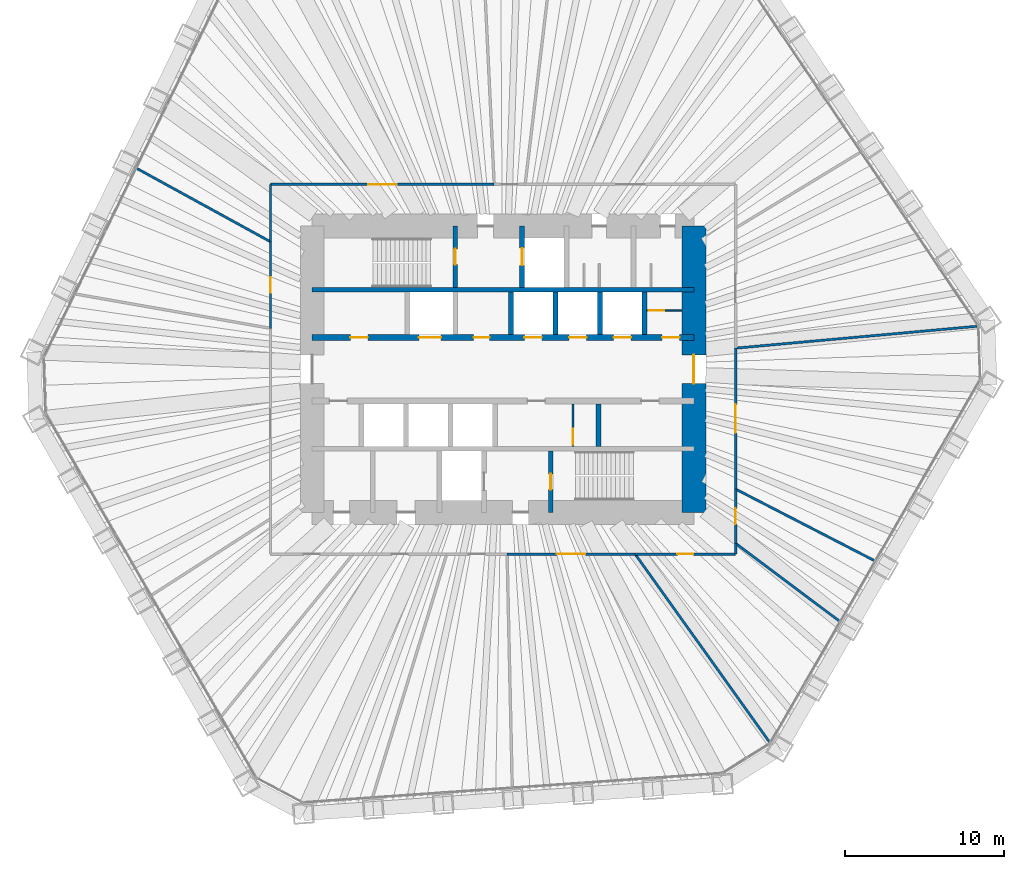
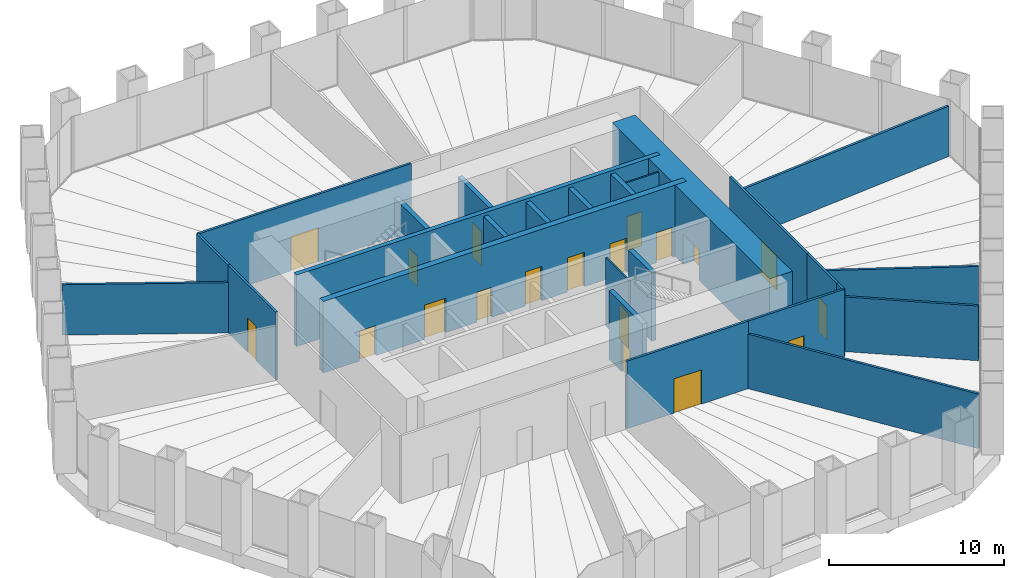
# One storey, part 11 of 13: 26 walls, 19 doors, 19 openings.
"""IFC4 building model written with IfcOpenShell, lengths in metres."""

import ifcopenshell
import ifcopenshell.guid

model = None  # the IFC model being written
_history = None  # IfcOwnerHistory: only IFC2X3 demands one
_inside = {}  # id of a spatial element -> (the spatial element, [elements in it])
_under = {}  # id of a project, library or spatial element -> (it, [spatial elements below it])
_declared = {}  # id of a project -> (the project, [libraries it declares])
_typed = {}  # id of a type object -> (the type object, [elements of that type])
_made_of = {}  # id of a material, layer set ... -> (it, [elements and type objects made of it])


def new_model(schema):
    """Start an empty IFC model of exactly this schema.

    Asked for "IFC4X3", IfcOpenShell would pick the latest addendum, in which some entities
    have other attributes; the version numbers below select the first issue.
    IFC2X3 requires an IfcOwnerHistory on every rooted entity: one is made here for all.
    """
    global model, _history
    if schema == "IFC4X3":
        model = ifcopenshell.file(schema_version=(4, 3, 0, 0))
    else:
        model = ifcopenshell.file(schema=schema)
    _inside.clear()
    _under.clear()
    _declared.clear()
    _typed.clear()
    _made_of.clear()
    _history = None
    if model.schema == "IFC2X3":
        org = make("IfcOrganization", Name="unknown")
        user = make(
            "IfcPersonAndOrganization",
            ThePerson=make("IfcPerson", FamilyName="unknown"),
            TheOrganization=org,
        )
        app = make(
            "IfcApplication",
            ApplicationDeveloper=org,
            Version="unknown",
            ApplicationFullName="unknown",
            ApplicationIdentifier="unknown",
        )
        _history = make(
            "IfcOwnerHistory",
            OwningUser=user,
            OwningApplication=app,
            ChangeAction="ADDED",
            CreationDate=0,
        )
    return model


def make(cls, **values):
    """One entity of the class cls with the attributes given. An attribute that is None is left unset."""
    return model.create_entity(
        cls, **{name: value for name, value in values.items() if value is not None}
    )


def rooted(cls, **values):
    """An entity with a GlobalId (a new one), such as an element, a storey or a relation."""
    return make(cls, GlobalId=ifcopenshell.guid.new(), OwnerHistory=_history, **values)


def si_unit(unit_type, name, prefix=None):
    """IfcSIUnit, for example si_unit("LENGTHUNIT", "METRE", prefix="MILLI")."""
    return make("IfcSIUnit", UnitType=unit_type, Prefix=prefix, Name=name)


def assignment(units):
    """IfcUnitAssignment: the units of a project."""
    return None if units is None else make("IfcUnitAssignment", Units=units)


def point(xyz):
    """IfcCartesianPoint."""
    return None if xyz is None else make("IfcCartesianPoint", Coordinates=xyz)


def direction(xyz):
    """IfcDirection."""
    return None if xyz is None else make("IfcDirection", DirectionRatios=xyz)


def frame(location, z_axis=None, x_axis=None):
    """IfcAxis2Placement3D, a coordinate frame: its origin and axes. An axis left out is left unset."""
    return make(
        "IfcAxis2Placement3D",
        Location=point(location),
        Axis=direction(z_axis),
        RefDirection=direction(x_axis),
    )


def frame_2d(location, x_axis=None):
    """IfcAxis2Placement2D, a coordinate frame in the plane: its origin and x axis."""
    return make(
        "IfcAxis2Placement2D", Location=point(location), RefDirection=direction(x_axis)
    )


def origin():
    """The frame at (0, 0, 0) with its axes left unset."""
    return frame((0.0, 0.0, 0.0))


def place(relative_to, where):
    """IfcLocalPlacement: puts the frame where relative to a parent placement (None: the world)."""
    return make(
        "IfcLocalPlacement", PlacementRelTo=relative_to, RelativePlacement=where
    )


def context(
    kind, dimensions, precision=None, world=None, true_north=None, identifier=None
):
    """IfcGeometricRepresentationContext, for example the 3D "Model" context."""
    return make(
        "IfcGeometricRepresentationContext",
        ContextIdentifier=identifier,
        ContextType=kind,
        CoordinateSpaceDimension=dimensions,
        Precision=precision,
        WorldCoordinateSystem=world,
        TrueNorth=true_north,
    )


def subcontext(parent, identifier, kind, view, scale=None):
    """IfcGeometricRepresentationSubContext, for example "Body" below "Model"."""
    return make(
        "IfcGeometricRepresentationSubContext",
        ContextIdentifier=identifier,
        ContextType=kind,
        ParentContext=parent,
        TargetScale=scale,
        TargetView=view,
    )


def project(units=None, contexts=None):
    """IfcProject with its units and contexts."""
    return rooted(
        "IfcProject",
        Name="project",
        RepresentationContexts=contexts,
        UnitsInContext=assignment(units),
    )


def spatial(cls, under=None, at=None, **own):
    """A site, building, storey or space (cls), placed at a placement, below another one or the project."""
    s = rooted(cls, ObjectPlacement=at, **own)
    if under is not None:
        _under.setdefault(under.id(), (under, []))[1].append(s)
    return s


def profile(cls, at=None, kind="AREA", **sizes):
    """A parametric profile (cls). Its sizes go by their IFC names, for example OverallWidth=200.0."""
    return make(cls, ProfileType=kind, Position=at, **sizes)


def rectangle(**sizes):
    """IfcRectangleProfileDef."""
    return profile("IfcRectangleProfileDef", **sizes)


def extrude(swept, where, along, depth):
    """IfcExtrudedAreaSolid: the profile swept, set in the frame where, extruded along a direction by depth."""
    return make(
        "IfcExtrudedAreaSolid",
        SweptArea=swept,
        Position=where,
        ExtrudedDirection=direction(along),
        Depth=depth,
    )


def shape(context_of_items, identifier, shape_type, items):
    """IfcShapeRepresentation: the items that make up one representation, for example the "Body"."""
    return make(
        "IfcShapeRepresentation",
        ContextOfItems=context_of_items,
        RepresentationIdentifier=identifier,
        RepresentationType=shape_type,
        Items=items,
    )


def material(Name=None, Category=None):
    """IfcMaterial."""
    return make("IfcMaterial", Name=Name, Category=Category)


def layer(
    of_material, thickness, ventilated=None, Name=None, Category=None, Priority=None
):
    """IfcMaterialLayer: one layer of a wall or slab, of a material (None: an air gap)."""
    return make(
        "IfcMaterialLayer",
        Material=of_material,
        LayerThickness=thickness,
        IsVentilated=ventilated,
        Name=Name,
        Category=Category,
        Priority=Priority,
    )


def layer_set(layers, Name=None):
    """IfcMaterialLayerSet."""
    return make("IfcMaterialLayerSet", MaterialLayers=layers, LayerSetName=Name)


def made_of(thing, what):
    """Note that an element or type object is made of a material, layer set ...; save() writes the relation."""
    if what is not None:
        _made_of.setdefault(what.id(), (what, []))[1].append(thing)
    return thing


def type_object(cls, material=None, **own):
    """A type object (cls), such as IfcWallType, which elements share."""
    return made_of(rooted(cls, **own), material)


def element(
    cls,
    number,
    at=None,
    inside=None,
    cuts=None,
    type_object=None,
    material=None,
    context=None,
    identifier="Body",
    shape_type=None,
    held_by="IfcProductDefinitionShape",
    body=None,
    shapes=None,
    **own,
):
    """One element of the class cls, such as IfcWall. Its Tag is "e" and its number.

    at: its placement. inside: the storey or other place that contains it. cuts: it is an
    opening in that element (IfcRelVoidsElement). A single representation is given by context,
    identifier, shape_type and body (its items); several are given by shapes. held_by: the class
    of the entity that holds the representations. save() writes the other relations.
    """
    e = rooted(cls, Tag="e%d" % number, ObjectPlacement=at, **own)
    if body is not None:
        shapes = [shape(context, identifier, shape_type, body)]
    if shapes is not None:
        e.Representation = make(held_by, Representations=shapes)
    if inside is not None:
        _inside.setdefault(inside.id(), (inside, []))[1].append(e)
    if cuts is not None:
        rooted(
            "IfcRelVoidsElement", RelatingBuildingElement=cuts, RelatedOpeningElement=e
        )
    if type_object is not None:
        _typed.setdefault(type_object.id(), (type_object, []))[1].append(e)
    return made_of(e, material)


def fill(opening, filler):
    """IfcRelFillsElement: the door or window that sits in an opening."""
    return rooted(
        "IfcRelFillsElement",
        RelatingOpeningElement=opening,
        RelatedBuildingElement=filler,
    )


def aggregate(whole, parts):
    """IfcRelAggregates: a whole, such as a stair, and the parts it consists of."""
    return rooted("IfcRelAggregates", RelatingObject=whole, RelatedObjects=parts)


def save(model, path):
    """Write the relations noted so far, then the file.

    IfcRelAggregates (storeys below a building ...), IfcRelContainedInSpatialStructure (elements
    in a storey), IfcRelDefinesByType, IfcRelAssociatesMaterial and IfcRelDeclares: one each for
    every whole, place, type object, material and project.
    """
    for whole, parts in _under.values():
        aggregate(whole, parts)
    for where, things in _inside.values():
        rooted(
            "IfcRelContainedInSpatialStructure",
            RelatedElements=things,
            RelatingStructure=where,
        )
    for kind, things in _typed.values():
        rooted("IfcRelDefinesByType", RelatedObjects=things, RelatingType=kind)
    for what, things in _made_of.values():
        rooted("IfcRelAssociatesMaterial", RelatedObjects=things, RelatingMaterial=what)
    for by, libraries in _declared.values():
        rooted("IfcRelDeclares", RelatingContext=by, RelatedDefinitions=libraries)
    model.write(path)


model = new_model("IFC4")

# Units and contexts
model_context = context("Model", 3, precision=1e-05, world=origin(), true_north=direction((0.0, 1.0)))
body_context = subcontext(model_context, "Body", "Model", "MODEL_VIEW")
ifc_project = project(units=[si_unit("LENGTHUNIT", "METRE"), si_unit("AREAUNIT", "SQUARE_METRE"), si_unit("VOLUMEUNIT", "CUBIC_METRE"), si_unit("PLANEANGLEUNIT", "RADIAN"), si_unit("MASSUNIT", "GRAM", prefix="KILO")], contexts=[model_context])

# Site, building, storey
site_placement = place(None, origin())
site = spatial("IfcSite", under=ifc_project, at=site_placement, CompositionType="ELEMENT")
building_placement = place(site_placement, origin())
building = spatial("IfcBuilding", under=site, at=building_placement, Name="Qingtian Harvest Tower", CompositionType="ELEMENT")
storey_placement = place(building_placement, frame((0.0, 0.0, 92.0)))
storey = spatial("IfcBuildingStorey", under=building, at=storey_placement, Name="L18", CompositionType="ELEMENT", Elevation=92.0)

# Wall
ifc_material_1 = material(Name="Concrete fc' 70 MPa", Category="concrete")
ifc_layer_1 = layer(ifc_material_1, 0.300048828125)
ifc_layer_set_1 = layer_set([ifc_layer_1], Name="Core inner wall RC5 300")
wall_type_1 = type_object("IfcWallType", Name="Core inner wall RC5 300", PredefinedType="SHEAR", material=ifc_layer_set_1)
wall_1_placement = place(storey_placement, frame((-12.0, 5.0, 0.0), z_axis=(0.0, 0.0, 1.0), x_axis=(1.0, 0.0, 0.0)))
element("IfcWall", 1, at=wall_1_placement, inside=storey, type_object=wall_type_1, Name="Core wall IN5 L18", PredefinedType="SHEAR", context=body_context, shape_type="SweptSolid", body=[
    extrude(rectangle(XDim=24.0, YDim=0.300048828125, at=frame_2d((12.0, 0.0))), origin(), (0.0, 0.0, 1.0), 5.0),
])

# Wall, openings, doors
ifc_material_2 = material(Name="Concrete fc' 70 MPa", Category="concrete")
ifc_layer_2 = layer(ifc_material_2, 0.39990234375)
ifc_layer_set_2 = layer_set([ifc_layer_2], Name="Core inner web RC6 400")
wall_type_2 = type_object("IfcWallType", Name="Core inner web RC6 400", PredefinedType="SHEAR", material=ifc_layer_set_2)
wall_2_placement = place(storey_placement, frame((-12.0, 2.0, 0.0), z_axis=(0.0, 0.0, 1.0), x_axis=(1.0, 0.0, 0.0)))
wall_2 = element("IfcWall", 2, at=wall_2_placement, inside=storey, type_object=wall_type_2, Name="Core wall IN2 L18", PredefinedType="SHEAR", context=body_context, shape_type="SweptSolid", body=[
    extrude(rectangle(XDim=24.0, YDim=0.39990234375, at=frame_2d((12.0, 0.0))), origin(), (0.0, 0.0, 1.0), 5.0),
])
opening_1_placement = place(wall_2_placement, frame((2.39990234375, 0.0, 0.0)))
opening_1 = element("IfcOpeningElement", 3, at=opening_1_placement, cuts=wall_2, Name="Opening FD4", PredefinedType="OPENING", context=body_context, shape_type="SweptSolid", body=[
    extrude(rectangle(XDim=1.10009765625, YDim=2.10009765625, at=frame_2d((0.550048828125, 1.050048828125))), frame((0.0, 0.2099609375, 0.0), z_axis=(0.0, -1.0, 0.0), x_axis=(1.0, 0.0, 0.0)), (0.0, 0.0, 1.0), 0.419921875),
])
opening_2_placement = place(wall_2_placement, frame((22.0, 0.0, 0.0)))
opening_2 = element("IfcOpeningElement", 4, at=opening_2_placement, cuts=wall_2, Name="Opening FD4", PredefinedType="OPENING", context=body_context, shape_type="SweptSolid", body=[
    extrude(rectangle(XDim=1.10009765625, YDim=2.10009765625, at=frame_2d((0.550048828125, 1.050048828125))), frame((0.0, 0.2099609375, 0.0), z_axis=(0.0, -1.0, 0.0), x_axis=(1.0, 0.0, 0.0)), (0.0, 0.0, 1.0), 0.419921875),
])
opening_3_placement = place(wall_2_placement, frame((10.14990234375, 0.0, 0.0)))
opening_3 = element("IfcOpeningElement", 5, at=opening_3_placement, cuts=wall_2, Name="Opening FD1", PredefinedType="OPENING", context=body_context, shape_type="SweptSolid", body=[
    extrude(rectangle(XDim=1.0, YDim=2.10009765625, at=frame_2d((0.5, 1.050048828125))), frame((0.0, 0.2099609375, 0.0), z_axis=(0.0, -1.0, 0.0), x_axis=(1.0, 0.0, 0.0)), (0.0, 0.0, 1.0), 0.419921875),
])
opening_4_placement = place(wall_2_placement, frame((6.699951171875, 0.0, 0.0)))
opening_4 = element("IfcOpeningElement", 6, at=opening_4_placement, cuts=wall_2, Name="Opening LD2", PredefinedType="OPENING", context=body_context, shape_type="SweptSolid", body=[
    extrude(rectangle(XDim=1.39990234375, YDim=2.39990234375, at=frame_2d((0.699951171875, 1.199951171875))), frame((0.0, 0.2099609375, 0.0), z_axis=(0.0, -1.0, 0.0), x_axis=(1.0, 0.0, 0.0)), (0.0, 0.0, 1.0), 0.419921875),
])
opening_5_placement = place(wall_2_placement, frame((13.35009765625, 0.0, 0.0)))
opening_5 = element("IfcOpeningElement", 7, at=opening_5_placement, cuts=wall_2, Name="Opening LD1", PredefinedType="OPENING", context=body_context, shape_type="SweptSolid", body=[
    extrude(rectangle(XDim=1.10009765625, YDim=2.39990234375, at=frame_2d((0.550048828125, 1.199951171875))), frame((0.0, 0.2099609375, 0.0), z_axis=(0.0, -1.0, 0.0), x_axis=(1.0, 0.0, 0.0)), (0.0, 0.0, 1.0), 0.419921875),
])
opening_6_placement = place(wall_2_placement, frame((16.14990234375, 0.0, 0.0)))
opening_6 = element("IfcOpeningElement", 8, at=opening_6_placement, cuts=wall_2, Name="Opening LD1", PredefinedType="OPENING", context=body_context, shape_type="SweptSolid", body=[
    extrude(rectangle(XDim=1.10009765625, YDim=2.39990234375, at=frame_2d((0.550048828125, 1.199951171875))), frame((0.0, 0.2099609375, 0.0), z_axis=(0.0, -1.0, 0.0), x_axis=(1.0, 0.0, 0.0)), (0.0, 0.0, 1.0), 0.419921875),
])
opening_7_placement = place(wall_2_placement, frame((18.949951171875, 0.0, 0.0)))
opening_7 = element("IfcOpeningElement", 9, at=opening_7_placement, cuts=wall_2, Name="Opening LD1", PredefinedType="OPENING", context=body_context, shape_type="SweptSolid", body=[
    extrude(rectangle(XDim=1.10009765625, YDim=2.39990234375, at=frame_2d((0.550048828125, 1.199951171875))), frame((0.0, 0.2099609375, 0.0), z_axis=(0.0, -1.0, 0.0), x_axis=(1.0, 0.0, 0.0)), (0.0, 0.0, 1.0), 0.419921875),
])
ifc_material_3 = material(Name="Steel-faced door leaf", Category="steel")
door_type_1 = type_object("IfcDoorType", Name="Fire door FD1 single 1 HR", OperationType="SINGLE_SWING_LEFT", PredefinedType="DOOR", material=ifc_material_3)
door_1_placement = place(opening_3_placement, origin())
door_1 = element("IfcDoor", 10, at=door_1_placement, inside=storey, type_object=door_type_1, Name="STA door L18", OperationType="SINGLE_SWING_RIGHT", OverallHeight=2.10009765625, OverallWidth=1.0, PredefinedType="DOOR", context=body_context, shape_type="SweptSolid", body=[
    extrude(rectangle(XDim=1.0, YDim=2.10009765625, at=frame_2d((0.5, 1.050048828125))), frame((0.0, 0.02490234375, 0.0), z_axis=(0.0, -1.0, 0.0), x_axis=(1.0, 0.0, 0.0)), (0.0, 0.0, 1.0), 0.050048828125),
])
fill(opening_3, door_1)
ifc_material_4 = material(Name="Steel-faced door leaf", Category="steel")
door_type_2 = type_object("IfcDoorType", Name="Fire door FD4 single 2 HR", OperationType="SINGLE_SWING_LEFT", PredefinedType="DOOR", material=ifc_material_4)
door_2_placement = place(opening_1_placement, origin())
door_2 = element("IfcDoor", 11, at=door_2_placement, inside=storey, type_object=door_type_2, Name="RA door L18", OperationType="SINGLE_SWING_LEFT", OverallHeight=2.10009765625, OverallWidth=1.10009765625, PredefinedType="DOOR", context=body_context, shape_type="SweptSolid", body=[
    extrude(rectangle(XDim=1.10009765625, YDim=2.10009765625, at=frame_2d((0.550048828125, 1.050048828125))), frame((0.0, 0.02490234375, 0.0), z_axis=(0.0, -1.0, 0.0), x_axis=(1.0, 0.0, 0.0)), (0.0, 0.0, 1.0), 0.050048828125),
])
fill(opening_1, door_2)
door_3_placement = place(opening_2_placement, origin())
door_3 = element("IfcDoor", 12, at=door_3_placement, inside=storey, type_object=door_type_2, Name="AHU door L18", OperationType="SINGLE_SWING_LEFT", OverallHeight=2.10009765625, OverallWidth=1.10009765625, PredefinedType="DOOR", context=body_context, shape_type="SweptSolid", body=[
    extrude(rectangle(XDim=1.10009765625, YDim=2.10009765625, at=frame_2d((0.550048828125, 1.050048828125))), frame((0.0, 0.02490234375, 0.0), z_axis=(0.0, -1.0, 0.0), x_axis=(1.0, 0.0, 0.0)), (0.0, 0.0, 1.0), 0.050048828125),
])
fill(opening_2, door_3)
ifc_material_5 = material(Name="Stainless steel lift landing door", Category="steel")
door_type_3 = type_object("IfcDoorType", Name="Goods lift landing door LD2 1 HR", OperationType="DOUBLE_DOOR_SLIDING", PredefinedType="DOOR", material=ifc_material_5)
door_4_placement = place(opening_4_placement, origin())
door_4 = element("IfcDoor", 13, at=door_4_placement, inside=storey, type_object=door_type_3, Name="GL1 landing door L18", OperationType="DOUBLE_DOOR_SLIDING", OverallHeight=2.39990234375, OverallWidth=1.39990234375, PredefinedType="DOOR", context=body_context, shape_type="SweptSolid", body=[
    extrude(rectangle(XDim=1.39990234375, YDim=2.39990234375, at=frame_2d((0.699951171875, 1.199951171875))), frame((0.0, 0.02490234375, 0.0), z_axis=(0.0, -1.0, 0.0), x_axis=(1.0, 0.0, 0.0)), (0.0, 0.0, 1.0), 0.050048828125),
])
fill(opening_4, door_4)
ifc_material_6 = material(Name="Stainless steel lift landing door", Category="steel")
door_type_4 = type_object("IfcDoorType", Name="Lift landing door LD1 1 HR", OperationType="DOUBLE_DOOR_SLIDING", PredefinedType="DOOR", material=ifc_material_6)
door_5_placement = place(opening_5_placement, origin())
door_5 = element("IfcDoor", 14, at=door_5_placement, inside=storey, type_object=door_type_4, Name="PLA1 landing door L18", OperationType="DOUBLE_DOOR_SLIDING", OverallHeight=2.39990234375, OverallWidth=1.10009765625, PredefinedType="DOOR", context=body_context, shape_type="SweptSolid", body=[
    extrude(rectangle(XDim=1.10009765625, YDim=2.39990234375, at=frame_2d((0.550048828125, 1.199951171875))), frame((0.0, 0.02490234375, 0.0), z_axis=(0.0, -1.0, 0.0), x_axis=(1.0, 0.0, 0.0)), (0.0, 0.0, 1.0), 0.050048828125),
])
fill(opening_5, door_5)
door_6_placement = place(opening_6_placement, origin())
door_6 = element("IfcDoor", 15, at=door_6_placement, inside=storey, type_object=door_type_4, Name="PLA2 landing door L18", OperationType="DOUBLE_DOOR_SLIDING", OverallHeight=2.39990234375, OverallWidth=1.10009765625, PredefinedType="DOOR", context=body_context, shape_type="SweptSolid", body=[
    extrude(rectangle(XDim=1.10009765625, YDim=2.39990234375, at=frame_2d((0.550048828125, 1.199951171875))), frame((0.0, 0.02490234375, 0.0), z_axis=(0.0, -1.0, 0.0), x_axis=(1.0, 0.0, 0.0)), (0.0, 0.0, 1.0), 0.050048828125),
])
fill(opening_6, door_6)
door_7_placement = place(opening_7_placement, origin())
door_7 = element("IfcDoor", 16, at=door_7_placement, inside=storey, type_object=door_type_4, Name="PLA3 landing door L18", OperationType="DOUBLE_DOOR_SLIDING", OverallHeight=2.39990234375, OverallWidth=1.10009765625, PredefinedType="DOOR", context=body_context, shape_type="SweptSolid", body=[
    extrude(rectangle(XDim=1.10009765625, YDim=2.39990234375, at=frame_2d((0.550048828125, 1.199951171875))), frame((0.0, 0.02490234375, 0.0), z_axis=(0.0, -1.0, 0.0), x_axis=(1.0, 0.0, 0.0)), (0.0, 0.0, 1.0), 0.050048828125),
])
fill(opening_7, door_7)

# Wall, opening, door
ifc_material_7 = material(Name="Precast concrete shaft panel", Category="concrete")
ifc_layer_3 = layer(ifc_material_7, 0.300048828125)
ifc_layer_set_3 = layer_set([ifc_layer_3], Name="Core shaft partition SW1 300")
wall_type_3 = type_object("IfcWallType", Name="Core shaft partition SW1 300", PredefinedType="PARTITIONING", material=ifc_layer_set_3)
wall_3_placement = place(storey_placement, frame((-3.0, 5.14990234375, 0.0), z_axis=(0.0, 0.0, 1.0), x_axis=(0.0, 1.0, 0.0)))
wall_3 = element("IfcWall", 17, at=wall_3_placement, inside=storey, type_object=wall_type_3, Name="Core shaft partition XN1 L18", PredefinedType="PARTITIONING", context=body_context, shape_type="SweptSolid", body=[
    extrude(rectangle(XDim=3.85009765625, YDim=0.300048828125, at=frame_2d((1.925048828125, 0.0))), origin(), (0.0, 0.0, 1.0), 4.780029296875),
])
opening_8_placement = place(wall_3_placement, frame((1.425048828125, 0.0, 0.0)))
opening_8 = element("IfcOpeningElement", 18, at=opening_8_placement, cuts=wall_3, Name="Opening FD1", PredefinedType="OPENING", context=body_context, shape_type="SweptSolid", body=[
    extrude(rectangle(XDim=1.0, YDim=2.10009765625, at=frame_2d((0.5, 1.050048828125))), frame((0.0, 0.159912109375, 0.0), z_axis=(0.0, -1.0, 0.0), x_axis=(1.0, 0.0, 0.0)), (0.0, 0.0, 1.0), 0.320068359375),
])
door_8_placement = place(opening_8_placement, origin())
door_8 = element("IfcDoor", 19, at=door_8_placement, inside=storey, type_object=door_type_1, Name="S1 door L18", OperationType="SINGLE_SWING_RIGHT", OverallHeight=2.10009765625, OverallWidth=1.0, PredefinedType="DOOR", context=body_context, shape_type="SweptSolid", body=[
    extrude(rectangle(XDim=1.0, YDim=2.10009765625, at=frame_2d((0.5, 1.050048828125))), frame((0.0, 0.02490234375, 0.0), z_axis=(0.0, -1.0, 0.0), x_axis=(1.0, 0.0, 0.0)), (0.0, 0.0, 1.0), 0.050048828125),
])
fill(opening_8, door_8)

wall_4_placement = place(storey_placement, frame((1.199951171875, 5.14990234375, 0.0), z_axis=(0.0, 0.0, 1.0), x_axis=(0.0, 1.0, 0.0)))
wall_4 = element("IfcWall", 20, at=wall_4_placement, inside=storey, type_object=wall_type_3, Name="Core shaft partition XN2 L18", PredefinedType="PARTITIONING", context=body_context, shape_type="SweptSolid", body=[
    extrude(rectangle(XDim=3.85009765625, YDim=0.300048828125, at=frame_2d((1.925048828125, 0.0))), origin(), (0.0, 0.0, 1.0), 4.780029296875),
])
opening_9_placement = place(wall_4_placement, frame((1.375, 0.0, 0.0)))
opening_9 = element("IfcOpeningElement", 21, at=opening_9_placement, cuts=wall_4, Name="Opening LD1", PredefinedType="OPENING", context=body_context, shape_type="SweptSolid", body=[
    extrude(rectangle(XDim=1.10009765625, YDim=2.39990234375, at=frame_2d((0.550048828125, 1.199951171875))), frame((0.0, 0.159912109375, 0.0), z_axis=(0.0, -1.0, 0.0), x_axis=(1.0, 0.0, 0.0)), (0.0, 0.0, 1.0), 0.320068359375),
])
door_9_placement = place(opening_9_placement, origin())
door_9 = element("IfcDoor", 22, at=door_9_placement, inside=storey, type_object=door_type_4, Name="FL1 landing door L18", OperationType="DOUBLE_DOOR_SLIDING", OverallHeight=2.39990234375, OverallWidth=1.10009765625, PredefinedType="DOOR", context=body_context, shape_type="SweptSolid", body=[
    extrude(rectangle(XDim=1.10009765625, YDim=2.39990234375, at=frame_2d((0.550048828125, 1.199951171875))), frame((0.0, 0.02490234375, 0.0), z_axis=(0.0, -1.0, 0.0), x_axis=(1.0, 0.0, 0.0)), (0.0, 0.0, 1.0), 0.050048828125),
])
fill(opening_9, door_9)

# Walls
for number, where, z_axis, x_axis, name in (
    (23, (0.5, 2.199951171875, 0.0), (0.0, 0.0, 1.0), (0.0, 1.0, 0.0), "Core shaft partition XA3 L18"),
    (24, (3.300048828125, 2.199951171875, 0.0), (0.0, 0.0, 1.0), (0.0, 1.0, 0.0), "Core shaft partition XA4 L18"),
    (25, (6.10009765625, 2.199951171875, 0.0), (0.0, 0.0, 1.0), (0.0, 1.0, 0.0), "Core shaft partition XA5 L18"),
    (26, (8.89990234375, 2.199951171875, 0.0), (0.0, 0.0, 1.0), (0.0, 1.0, 0.0), "Core shaft partition XA6 L18"),
    (27, (6.0, -4.85009765625, 0.0), (0.0, 0.0, 1.0), (0.0, 1.0, 0.0), "Core shaft partition XB5 L18"),
):
    element("IfcWall", number, at=place(storey_placement, frame(where, z_axis=z_axis, x_axis=x_axis)), inside=storey, type_object=wall_type_3, Name=name, PredefinedType="PARTITIONING", context=body_context, shape_type="SweptSolid", body=[
        extrude(rectangle(XDim=2.650146484375, YDim=0.300048828125, at=frame_2d((1.3251953125, 0.0))), origin(), (0.0, 0.0, 1.0), 4.780029296875),
    ])

# Wall, opening, door
wall_5_placement = place(storey_placement, frame((3.0, -9.0, 0.0), z_axis=(0.0, 0.0, 1.0), x_axis=(0.0, 1.0, 0.0)))
wall_5 = element("IfcWall", 28, at=wall_5_placement, inside=storey, type_object=wall_type_3, Name="Core shaft partition XS4 L18", PredefinedType="PARTITIONING", context=body_context, shape_type="SweptSolid", body=[
    extrude(rectangle(XDim=3.85009765625, YDim=0.300048828125, at=frame_2d((1.925048828125, 0.0))), origin(), (0.0, 0.0, 1.0), 4.780029296875),
])
opening_10_placement = place(wall_5_placement, frame((1.425048828125, 0.0, 0.0)))
opening_10 = element("IfcOpeningElement", 29, at=opening_10_placement, cuts=wall_5, Name="Opening FD1", PredefinedType="OPENING", context=body_context, shape_type="SweptSolid", body=[
    extrude(rectangle(XDim=1.0, YDim=2.10009765625, at=frame_2d((0.5, 1.050048828125))), frame((0.0, 0.159912109375, 0.0), z_axis=(0.0, -1.0, 0.0), x_axis=(1.0, 0.0, 0.0)), (0.0, 0.0, 1.0), 0.320068359375),
])
door_10_placement = place(opening_10_placement, origin())
door_10 = element("IfcDoor", 30, at=door_10_placement, inside=storey, type_object=door_type_1, Name="S2 door L18", OperationType="SINGLE_SWING_LEFT", OverallHeight=2.10009765625, OverallWidth=1.0, PredefinedType="DOOR", context=body_context, shape_type="SweptSolid", body=[
    extrude(rectangle(XDim=1.0, YDim=2.10009765625, at=frame_2d((0.5, 1.050048828125))), frame((0.0, 0.02490234375, 0.0), z_axis=(0.0, -1.0, 0.0), x_axis=(1.0, 0.0, 0.0)), (0.0, 0.0, 1.0), 0.050048828125),
])
fill(opening_10, door_10)

ifc_material_8 = material(Name="Concrete fc' 70 MPa", Category="concrete")
ifc_layer_4 = layer(ifc_material_8, 1.5)
ifc_layer_set_4 = layer_set([ifc_layer_4], Name="Core wall RC1 1500")
wall_type_4 = type_object("IfcWallType", Name="Core wall RC1 1500", PredefinedType="SHEAR", material=ifc_layer_set_4)
wall_6_placement = place(storey_placement, frame((12.0, -9.0, 0.0), z_axis=(0.0, 0.0, 1.0), x_axis=(0.0, 1.0, 0.0)))
wall_6 = element("IfcWall", 31, at=wall_6_placement, inside=storey, type_object=wall_type_4, Name="Core wall CE L18", PredefinedType="SHEAR", context=body_context, shape_type="SweptSolid", body=[
    extrude(rectangle(XDim=18.0, YDim=1.5, at=frame_2d((9.0, 0.0))), origin(), (0.0, 0.0, 1.0), 5.0),
])
opening_11_placement = place(wall_6_placement, frame((8.10009765625, 0.0, 0.0)))
opening_11 = element("IfcOpeningElement", 32, at=opening_11_placement, cuts=wall_6, Name="Opening FD2", PredefinedType="OPENING", context=body_context, shape_type="SweptSolid", body=[
    extrude(rectangle(XDim=1.800048828125, YDim=2.10009765625, at=frame_2d((0.89990234375, 1.050048828125))), frame((0.0, 0.760009765625, 0.0), z_axis=(0.0, -1.0, 0.0), x_axis=(1.0, 0.0, 0.0)), (0.0, 0.0, 1.0), 1.52001953125),
])
ifc_material_9 = material(Name="Steel-faced door leaf", Category="steel")
door_type_5 = type_object("IfcDoorType", Name="Fire door FD2 double 1 HR", OperationType="DOUBLE_DOOR_DOUBLE_SWING", PredefinedType="DOOR", material=ifc_material_9)
door_11_placement = place(opening_11_placement, origin())
door_11 = element("IfcDoor", 33, at=door_11_placement, inside=storey, type_object=door_type_5, Name="LOBBY-E door L18", OperationType="DOUBLE_DOOR_DOUBLE_SWING", OverallHeight=2.10009765625, OverallWidth=1.800048828125, PredefinedType="DOOR", context=body_context, shape_type="SweptSolid", body=[
    extrude(rectangle(XDim=1.800048828125, YDim=2.10009765625, at=frame_2d((0.89990234375, 1.050048828125))), frame((0.0, 0.02490234375, 0.0), z_axis=(0.0, -1.0, 0.0), x_axis=(1.0, 0.0, 0.0)), (0.0, 0.0, 1.0), 0.050048828125),
])
fill(opening_11, door_11)

ifc_material_10 = material(Name="Gypsum board on steel studs", Category="steel")
ifc_layer_5 = layer(ifc_material_10, 0.14990234375)
ifc_layer_set_5 = layer_set([ifc_layer_5], Name="Partition PT1 150")
wall_type_5 = type_object("IfcWallType", Name="Partition PT1 150", PredefinedType="PARTITIONING", material=ifc_layer_set_5)
wall_7_placement = place(storey_placement, frame((-14.625, 2.573486328125, 0.0), z_axis=(0.0, 0.0, 1.0), x_axis=(0.0, 1.0, 0.0)))
wall_7 = element("IfcWall", 34, at=wall_7_placement, inside=storey, type_object=wall_type_5, Name="Seminar room wall L18", PredefinedType="PARTITIONING", context=body_context, shape_type="SweptSolid", body=[
    extrude(rectangle(XDim=5.446044921875, YDim=0.14990234375, at=frame_2d((2.72314453125, 0.0))), origin(), (0.0, 0.0, 1.0), 4.719970703125),
])
opening_12_placement = place(wall_7_placement, frame((2.22314453125, 0.0, 0.0)))
opening_12 = element("IfcOpeningElement", 35, at=opening_12_placement, cuts=wall_7, Name="Opening D2", PredefinedType="OPENING", context=body_context, shape_type="SweptSolid", body=[
    extrude(rectangle(XDim=1.0, YDim=2.39990234375, at=frame_2d((0.5, 1.199951171875))), frame((0.0, 0.0849609375, 0.0), z_axis=(0.0, -1.0, 0.0), x_axis=(1.0, 0.0, 0.0)), (0.0, 0.0, 1.0), 0.169921875),
])
ifc_material_11 = material(Name="Laminated timber door leaf", Category="wood")
door_type_6 = type_object("IfcDoorType", Name="Room door D2 single", OperationType="SINGLE_SWING_LEFT", PredefinedType="DOOR", material=ifc_material_11)
door_12_placement = place(opening_12_placement, origin())
door_12 = element("IfcDoor", 36, at=door_12_placement, inside=storey, type_object=door_type_6, Name="Seminar room door L18", OperationType="SINGLE_SWING_LEFT", OverallHeight=2.39990234375, OverallWidth=1.0, PredefinedType="DOOR", context=body_context, shape_type="SweptSolid", body=[
    extrude(rectangle(XDim=1.0, YDim=2.39990234375, at=frame_2d((0.5, 1.199951171875))), frame((0.0, 0.02490234375, 0.0), z_axis=(0.0, -1.0, 0.0), x_axis=(1.0, 0.0, 0.0)), (0.0, 0.0, 1.0), 0.050048828125),
])
fill(opening_12, door_12)

# Walls
wall_8_placement = place(storey_placement, frame((-22.999267578125, 12.611572265625, 0.0), z_axis=(0.0, 0.0, 1.0), x_axis=(0.876825619135, -0.480808520752, 0.0)))
element("IfcWall", 37, at=wall_8_placement, inside=storey, type_object=wall_type_5, Name="Demonstration growing room wall L18", PredefinedType="PARTITIONING", context=body_context, shape_type="SweptSolid", body=[
    extrude(rectangle(XDim=9.55078125, YDim=0.14990234375, at=frame_2d((4.775390625, 0.0))), origin(), (0.0, 0.0, 1.0), 3.52001953125),
])
wall_9_placement = place(storey_placement, frame((-14.625, 8.01953125, 0.0), z_axis=(0.0, 0.0, 1.0), x_axis=(0.0, 1.0, 0.0)))
element("IfcWall", 38, at=wall_9_placement, inside=storey, type_object=wall_type_5, Name="Demonstration growing room wall L18", PredefinedType="PARTITIONING", context=body_context, shape_type="SweptSolid", body=[
    extrude(rectangle(XDim=3.60546875, YDim=0.14990234375, at=frame_2d((1.802734375, 0.0))), origin(), (0.0, 0.0, 1.0), 4.719970703125),
])

# Wall, opening, door
wall_10_placement = place(storey_placement, frame((-14.625, 11.625, 0.0), z_axis=(0.0, 0.0, 1.0), x_axis=(1.0, 0.0, 0.0)))
wall_10 = element("IfcWall", 39, at=wall_10_placement, inside=storey, type_object=wall_type_5, Name="Demonstration growing room wall L18", PredefinedType="PARTITIONING", context=body_context, shape_type="SweptSolid", body=[
    extrude(rectangle(XDim=14.069091796875, YDim=0.14990234375, at=frame_2d((7.03466796875, 0.0))), origin(), (0.0, 0.0, 1.0), 4.719970703125),
])
opening_13_placement = place(wall_10_placement, frame((6.134521484375, 0.0, 0.0)))
opening_13 = element("IfcOpeningElement", 40, at=opening_13_placement, cuts=wall_10, Name="Opening D3", PredefinedType="OPENING", context=body_context, shape_type="SweptSolid", body=[
    extrude(rectangle(XDim=1.800048828125, YDim=2.39990234375, at=frame_2d((0.89990234375, 1.199951171875))), frame((0.0, 0.0849609375, 0.0), z_axis=(0.0, -1.0, 0.0), x_axis=(1.0, 0.0, 0.0)), (0.0, 0.0, 1.0), 0.169921875),
])
ifc_material_12 = material(Name="Laminated timber door leaf", Category="wood")
door_type_7 = type_object("IfcDoorType", Name="Room door D3 double", OperationType="DOUBLE_DOOR_DOUBLE_SWING", PredefinedType="DOOR", material=ifc_material_12)
door_13_placement = place(opening_13_placement, origin())
door_13 = element("IfcDoor", 41, at=door_13_placement, inside=storey, type_object=door_type_7, Name="Demonstration growing room door L18", OperationType="DOUBLE_DOOR_DOUBLE_SWING", OverallHeight=2.39990234375, OverallWidth=1.800048828125, PredefinedType="DOOR", context=body_context, shape_type="SweptSolid", body=[
    extrude(rectangle(XDim=1.800048828125, YDim=2.39990234375, at=frame_2d((0.89990234375, 1.199951171875))), frame((0.0, 0.02490234375, 0.0), z_axis=(0.0, -1.0, 0.0), x_axis=(1.0, 0.0, 0.0)), (0.0, 0.0, 1.0), 0.050048828125),
])
fill(opening_13, door_13)

# Wall
wall_11_placement = place(storey_placement, frame((29.79638671875, 2.700439453125, 0.0), z_axis=(0.0, 0.0, 1.0), x_axis=(-0.99591812791, -0.090261190441, 0.0)))
element("IfcWall", 42, at=wall_11_placement, inside=storey, type_object=wall_type_5, Name="Herb drying room wall L18", PredefinedType="PARTITIONING", context=body_context, shape_type="SweptSolid", body=[
    extrude(rectangle(XDim=15.233642578125, YDim=0.14990234375, at=frame_2d((7.61669921875, 0.0))), origin(), (0.0, 0.0, 1.0), 3.52001953125),
])

# Wall, opening, door
wall_12_placement = place(storey_placement, frame((14.625, 1.325439453125, 0.0), z_axis=(0.0, 0.0, 1.0), x_axis=(0.0, -1.0, 0.0)))
wall_12 = element("IfcWall", 43, at=wall_12_placement, inside=storey, type_object=wall_type_5, Name="Herb drying room wall L18", PredefinedType="PARTITIONING", context=body_context, shape_type="SweptSolid", body=[
    extrude(rectangle(XDim=8.86181640625, YDim=0.14990234375, at=frame_2d((4.430908203125, 0.0))), origin(), (0.0, 0.0, 1.0), 4.719970703125),
])
opening_14_placement = place(wall_12_placement, frame((3.53076171875, 0.0, 0.0)))
opening_14 = element("IfcOpeningElement", 44, at=opening_14_placement, cuts=wall_12, Name="Opening D3", PredefinedType="OPENING", context=body_context, shape_type="SweptSolid", body=[
    extrude(rectangle(XDim=1.800048828125, YDim=2.39990234375, at=frame_2d((0.89990234375, 1.199951171875))), frame((0.0, 0.0849609375, 0.0), z_axis=(0.0, -1.0, 0.0), x_axis=(1.0, 0.0, 0.0)), (0.0, 0.0, 1.0), 0.169921875),
])
door_14_placement = place(opening_14_placement, origin())
door_14 = element("IfcDoor", 45, at=door_14_placement, inside=storey, type_object=door_type_7, Name="Herb drying room door L18", OperationType="DOUBLE_DOOR_DOUBLE_SWING", OverallHeight=2.39990234375, OverallWidth=1.800048828125, PredefinedType="DOOR", context=body_context, shape_type="SweptSolid", body=[
    extrude(rectangle(XDim=1.800048828125, YDim=2.39990234375, at=frame_2d((0.89990234375, 1.199951171875))), frame((0.0, 0.02490234375, 0.0), z_axis=(0.0, -1.0, 0.0), x_axis=(1.0, 0.0, 0.0)), (0.0, 0.0, 1.0), 0.050048828125),
])
fill(opening_14, door_14)

# Wall
wall_13_placement = place(storey_placement, frame((23.31640625, -12.01513671875, 0.0), z_axis=(0.0, 0.0, 1.0), x_axis=(-0.888917561609, 0.458067209767, 0.0)))
element("IfcWall", 46, at=wall_13_placement, inside=storey, type_object=wall_type_5, Name="Gowning room wall L18", PredefinedType="PARTITIONING", context=body_context, shape_type="SweptSolid", body=[
    extrude(rectangle(XDim=9.777587890625, YDim=0.14990234375, at=frame_2d((4.888671875, 0.0))), origin(), (0.0, 0.0, 1.0), 3.52001953125),
])

# Wall, opening, door
wall_14_placement = place(storey_placement, frame((14.625, -7.536376953125, 0.0), z_axis=(0.0, 0.0, 1.0), x_axis=(0.0, -1.0, 0.0)))
wall_14 = element("IfcWall", 47, at=wall_14_placement, inside=storey, type_object=wall_type_5, Name="Gowning room wall L18", PredefinedType="PARTITIONING", context=body_context, shape_type="SweptSolid", body=[
    extrude(rectangle(XDim=3.413818359375, YDim=0.14990234375, at=frame_2d((1.70703125, 0.0))), origin(), (0.0, 0.0, 1.0), 4.719970703125),
])
opening_15_placement = place(wall_14_placement, frame((1.20703125, 0.0, 0.0)))
opening_15 = element("IfcOpeningElement", 48, at=opening_15_placement, cuts=wall_14, Name="Opening D2", PredefinedType="OPENING", context=body_context, shape_type="SweptSolid", body=[
    extrude(rectangle(XDim=1.0, YDim=2.39990234375, at=frame_2d((0.5, 1.199951171875))), frame((0.0, 0.0849609375, 0.0), z_axis=(0.0, -1.0, 0.0), x_axis=(1.0, 0.0, 0.0)), (0.0, 0.0, 1.0), 0.169921875),
])
door_15_placement = place(opening_15_placement, origin())
door_15 = element("IfcDoor", 49, at=door_15_placement, inside=storey, type_object=door_type_6, Name="Gowning room door L18", OperationType="SINGLE_SWING_RIGHT", OverallHeight=2.39990234375, OverallWidth=1.0, PredefinedType="DOOR", context=body_context, shape_type="SweptSolid", body=[
    extrude(rectangle(XDim=1.0, YDim=2.39990234375, at=frame_2d((0.5, 1.199951171875))), frame((0.0, 0.02490234375, 0.0), z_axis=(0.0, -1.0, 0.0), x_axis=(1.0, 0.0, 0.0)), (0.0, 0.0, 1.0), 0.050048828125),
])
fill(opening_15, door_15)

# Walls
wall_15_placement = place(storey_placement, frame((21.123046875, -15.8154296875, 0.0), z_axis=(0.0, 0.0, 1.0), x_axis=(-0.800490565123, 0.599345355492, 0.0)))
element("IfcWall", 50, at=wall_15_placement, inside=storey, type_object=wall_type_5, Name="Harvest wash room wall L18", PredefinedType="PARTITIONING", context=body_context, shape_type="SweptSolid", body=[
    extrude(rectangle(XDim=8.11767578125, YDim=0.14990234375, at=frame_2d((4.058837890625, 0.0))), origin(), (0.0, 0.0, 1.0), 3.820068359375),
])
wall_16_placement = place(storey_placement, frame((14.625, -10.9501953125, 0.0), z_axis=(0.0, 0.0, 1.0), x_axis=(0.0, -1.0, 0.0)))
element("IfcWall", 51, at=wall_16_placement, inside=storey, type_object=wall_type_5, Name="Harvest wash room wall L18", PredefinedType="PARTITIONING", context=body_context, shape_type="SweptSolid", body=[
    extrude(rectangle(XDim=0.6748046875, YDim=0.14990234375, at=frame_2d((0.33740234375, 0.0))), origin(), (0.0, 0.0, 1.0), 4.719970703125),
])

# Wall, opening, door
wall_17_placement = place(storey_placement, frame((14.625, -11.625, 0.0), z_axis=(0.0, 0.0, 1.0), x_axis=(-1.0, 0.0, 0.0)))
wall_17 = element("IfcWall", 52, at=wall_17_placement, inside=storey, type_object=wall_type_5, Name="Harvest wash room wall L18", PredefinedType="PARTITIONING", context=body_context, shape_type="SweptSolid", body=[
    extrude(rectangle(XDim=6.316650390625, YDim=0.14990234375, at=frame_2d((3.158203125, 0.0))), origin(), (0.0, 0.0, 1.0), 4.719970703125),
])
opening_16_placement = place(wall_17_placement, frame((2.658447265625, 0.0, 0.0)))
opening_16 = element("IfcOpeningElement", 53, at=opening_16_placement, cuts=wall_17, Name="Opening D2", PredefinedType="OPENING", context=body_context, shape_type="SweptSolid", body=[
    extrude(rectangle(XDim=1.0, YDim=2.39990234375, at=frame_2d((0.5, 1.199951171875))), frame((0.0, 0.0849609375, 0.0), z_axis=(0.0, -1.0, 0.0), x_axis=(1.0, 0.0, 0.0)), (0.0, 0.0, 1.0), 0.169921875),
])
door_16_placement = place(opening_16_placement, origin())
door_16 = element("IfcDoor", 54, at=door_16_placement, inside=storey, type_object=door_type_6, Name="Harvest wash room door L18", OperationType="SINGLE_SWING_RIGHT", OverallHeight=2.39990234375, OverallWidth=1.0, PredefinedType="DOOR", context=body_context, shape_type="SweptSolid", body=[
    extrude(rectangle(XDim=1.0, YDim=2.39990234375, at=frame_2d((0.5, 1.199951171875))), frame((0.0, 0.02490234375, 0.0), z_axis=(0.0, -1.0, 0.0), x_axis=(1.0, 0.0, 0.0)), (0.0, 0.0, 1.0), 0.050048828125),
])
fill(opening_16, door_16)

# Wall
wall_18_placement = place(storey_placement, frame((16.740234375, -23.423095703125, 0.0), z_axis=(0.0, 0.0, 1.0), x_axis=(-0.581451576506, 0.813581012671, 0.0)))
element("IfcWall", 55, at=wall_18_placement, inside=storey, type_object=wall_type_5, Name="Packing room wall L18", PredefinedType="PARTITIONING", context=body_context, shape_type="SweptSolid", body=[
    extrude(rectangle(XDim=14.50146484375, YDim=0.14990234375, at=frame_2d((7.250732421875, 0.0))), origin(), (0.0, 0.0, 1.0), 3.820068359375),
])

# Wall, opening, door
wall_19_placement = place(storey_placement, frame((8.308349609375, -11.625, 0.0), z_axis=(0.0, 0.0, 1.0), x_axis=(-1.0, 0.0, 0.0)))
wall_19 = element("IfcWall", 56, at=wall_19_placement, inside=storey, type_object=wall_type_5, Name="Packing room wall L18", PredefinedType="PARTITIONING", context=body_context, shape_type="SweptSolid", body=[
    extrude(rectangle(XDim=8.05224609375, YDim=0.14990234375, at=frame_2d((4.026123046875, 0.0))), origin(), (0.0, 0.0, 1.0), 4.719970703125),
])
opening_17_placement = place(wall_19_placement, frame((3.1259765625, 0.0, 0.0)))
opening_17 = element("IfcOpeningElement", 57, at=opening_17_placement, cuts=wall_19, Name="Opening D3", PredefinedType="OPENING", context=body_context, shape_type="SweptSolid", body=[
    extrude(rectangle(XDim=1.800048828125, YDim=2.39990234375, at=frame_2d((0.89990234375, 1.199951171875))), frame((0.0, 0.0849609375, 0.0), z_axis=(0.0, -1.0, 0.0), x_axis=(1.0, 0.0, 0.0)), (0.0, 0.0, 1.0), 0.169921875),
])
door_17_placement = place(opening_17_placement, origin())
door_17 = element("IfcDoor", 58, at=door_17_placement, inside=storey, type_object=door_type_7, Name="Packing room door L18", OperationType="DOUBLE_DOOR_DOUBLE_SWING", OverallHeight=2.39990234375, OverallWidth=1.800048828125, PredefinedType="DOOR", context=body_context, shape_type="SweptSolid", body=[
    extrude(rectangle(XDim=1.800048828125, YDim=2.39990234375, at=frame_2d((0.89990234375, 1.199951171875))), frame((0.0, 0.02490234375, 0.0), z_axis=(0.0, -1.0, 0.0), x_axis=(1.0, 0.0, 0.0)), (0.0, 0.0, 1.0), 0.050048828125),
])
fill(opening_17, door_17)

ifc_material_13 = material(Name="Concrete block partition", Category="concrete")
ifc_layer_6 = layer(ifc_material_13, 0.10009765625)
ifc_layer_set_6 = layer_set([ifc_layer_6], Name="Store partition PT3 100")
wall_type_6 = type_object("IfcWallType", Name="Store partition PT3 100", PredefinedType="PARTITIONING", material=ifc_layer_set_6)
wall_20_placement = place(storey_placement, frame((4.39990234375, -4.85009765625, 0.0), z_axis=(0.0, 0.0, 1.0), x_axis=(0.0, 1.0, 0.0)))
wall_20 = element("IfcWall", 59, at=wall_20_placement, inside=storey, type_object=wall_type_6, Name="Control room wall L18", PredefinedType="PARTITIONING", context=body_context, shape_type="SweptSolid", body=[
    extrude(rectangle(XDim=2.650146484375, YDim=0.10009765625, at=frame_2d((1.3251953125, 0.0))), origin(), (0.0, 0.0, 1.0), 4.780029296875),
])
opening_18_placement = place(wall_20_placement, frame((0.10009765625, 0.0, 0.0)))
opening_18 = element("IfcOpeningElement", 60, at=opening_18_placement, cuts=wall_20, Name="Opening D2", PredefinedType="OPENING", context=body_context, shape_type="SweptSolid", body=[
    extrude(rectangle(XDim=1.0, YDim=2.39990234375, at=frame_2d((0.5, 1.199951171875))), frame((0.0, 0.06005859375, 0.0), z_axis=(0.0, -1.0, 0.0), x_axis=(1.0, 0.0, 0.0)), (0.0, 0.0, 1.0), 0.1201171875),
])
door_18_placement = place(opening_18_placement, origin())
door_18 = element("IfcDoor", 61, at=door_18_placement, inside=storey, type_object=door_type_6, Name="Control room door L18", OperationType="SINGLE_SWING_LEFT", OverallHeight=2.39990234375, OverallWidth=1.0, PredefinedType="DOOR", context=body_context, shape_type="SweptSolid", body=[
    extrude(rectangle(XDim=1.0, YDim=2.39990234375, at=frame_2d((0.5, 1.199951171875))), frame((0.0, 0.02490234375, 0.0), z_axis=(0.0, -1.0, 0.0), x_axis=(1.0, 0.0, 0.0)), (0.0, 0.0, 1.0), 0.050048828125),
])
fill(opening_18, door_18)

wall_21_placement = place(storey_placement, frame((9.050048828125, 3.699951171875, 0.0), z_axis=(0.0, 0.0, 1.0), x_axis=(1.0, 0.0, 0.0)))
wall_21 = element("IfcWall", 62, at=wall_21_placement, inside=storey, type_object=wall_type_6, Name="Filter plant room wall L18", PredefinedType="PARTITIONING", context=body_context, shape_type="SweptSolid", body=[
    extrude(rectangle(XDim=2.199951171875, YDim=0.10009765625, at=frame_2d((1.10009765625, 0.0))), origin(), (0.0, 0.0, 1.0), 4.780029296875),
])
opening_19_placement = place(wall_21_placement, frame((0.10009765625, 0.0, 0.0)))
opening_19 = element("IfcOpeningElement", 63, at=opening_19_placement, cuts=wall_21, Name="Opening D2", PredefinedType="OPENING", context=body_context, shape_type="SweptSolid", body=[
    extrude(rectangle(XDim=1.0, YDim=2.39990234375, at=frame_2d((0.5, 1.199951171875))), frame((0.0, 0.06005859375, 0.0), z_axis=(0.0, -1.0, 0.0), x_axis=(1.0, 0.0, 0.0)), (0.0, 0.0, 1.0), 0.1201171875),
])
door_19_placement = place(opening_19_placement, origin())
door_19 = element("IfcDoor", 64, at=door_19_placement, inside=storey, type_object=door_type_6, Name="Filter plant room door L18", OperationType="SINGLE_SWING_RIGHT", OverallHeight=2.39990234375, OverallWidth=1.0, PredefinedType="DOOR", context=body_context, shape_type="SweptSolid", body=[
    extrude(rectangle(XDim=1.0, YDim=2.39990234375, at=frame_2d((0.5, 1.199951171875))), frame((0.0, 0.02490234375, 0.0), z_axis=(0.0, -1.0, 0.0), x_axis=(1.0, 0.0, 0.0)), (0.0, 0.0, 1.0), 0.050048828125),
])
fill(opening_19, door_19)

save(model, "model.ifc")
